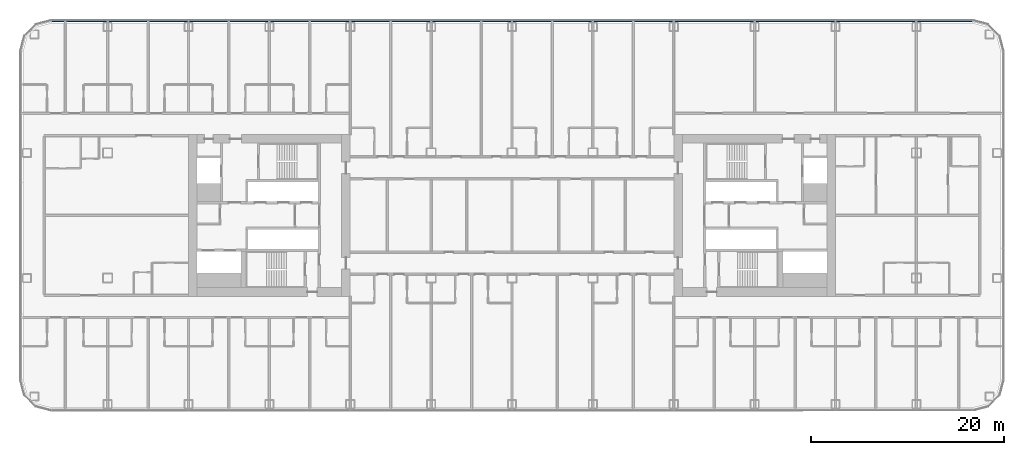
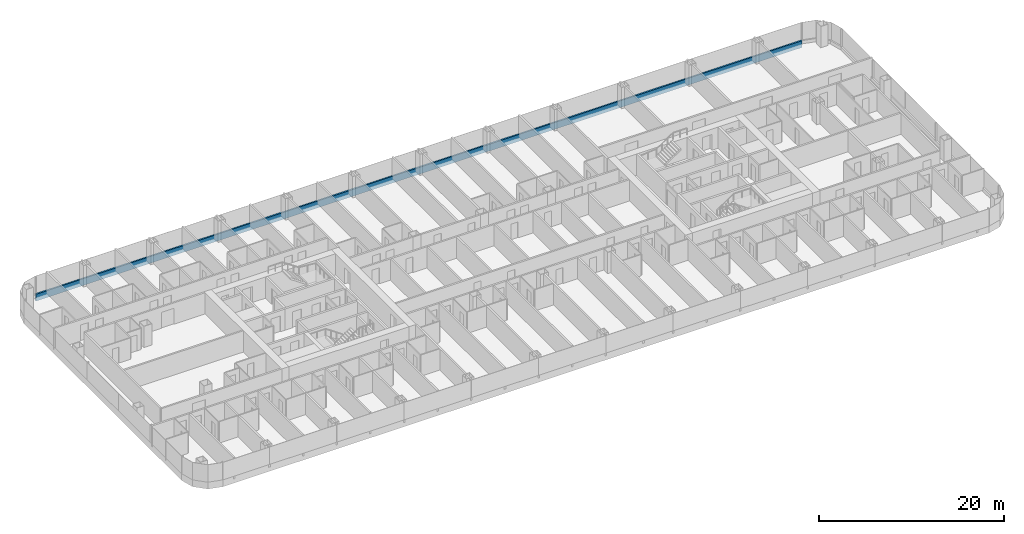
# One storey, part 8 of 29: 1 member, 1 element without a shape of its own.
"""IFC4 building model written with IfcOpenShell, lengths in metres."""

from ifc_helpers import new_model, si_unit, direction, frame, origin, origin_2d, place, context, subcontext, project, spatial, rectangle, extrude, material, layer, layer_set, material_profile, profile_set, type_object, element, aggregate, save


model = new_model("IFC4")

# Units and contexts
model_context = context("Model", 3, precision=1e-05, world=origin(), true_north=direction((0.0, 1.0)))
body_context = subcontext(model_context, "Body", "Model", "MODEL_VIEW")
ifc_project = project(units=[si_unit("LENGTHUNIT", "METRE"), si_unit("AREAUNIT", "SQUARE_METRE"), si_unit("VOLUMEUNIT", "CUBIC_METRE"), si_unit("PLANEANGLEUNIT", "RADIAN"), si_unit("MASSUNIT", "GRAM", prefix="KILO")], contexts=[model_context])

# Site, building, storey
site_placement = place(None, origin())
site = spatial("IfcSite", under=ifc_project, at=site_placement, CompositionType="ELEMENT")
building_placement = place(site_placement, origin())
building = spatial("IfcBuilding", under=site, at=building_placement, Name="Hakoniwa Tower and Hamabe Station Hall", CompositionType="ELEMENT")
storey_placement = place(building_placement, frame((0.0, 0.0, 55.0)))
storey = spatial("IfcBuildingStorey", under=building, at=storey_placement, Name="L15", CompositionType="ELEMENT", Elevation=55.0)

# Curtain wall, member
ifc_material_1 = material(Name="Dark low-e laminated glass", Category="glass")
ifc_layer = layer(ifc_material_1, 0.199951171875)
ifc_layer_set = layer_set([ifc_layer], Name="CW-1 UNITISED GUEST")
curtain_wall_type = type_object("IfcCurtainWallType", Name="CW-1 UNITISED GUEST", PredefinedType="NOTDEFINED", material=ifc_layer_set)
curtain_wall_placement = place(storey_placement, origin())
curtain_wall = element("IfcCurtainWall", 1, at=curtain_wall_placement, inside=storey, type_object=curtain_wall_type, Name="CW-1 curtain wall", PredefinedType="NOTDEFINED")
ifc_material_2 = material(Name="Aluminium 6063-T5 black anodised", Category="aluminium")
ifc_material_profile = material_profile(ifc_material_2, rectangle(XDim=0.199951171875, YDim=0.89990234375, at=origin_2d()), Name="CW SLAB-EDGE BAND 900X200")
ifc_profile_set = profile_set([ifc_material_profile], Name="Aluminium 6063-T5 black anodised")
member_type = type_object("IfcMemberType", Name="CW SLAB-EDGE BAND 900X200", PredefinedType="USERDEFINED", material=ifc_profile_set)
member_placement = place(storey_placement, frame((47.839599609375, 20.199951171875, -0.10009765625), z_axis=(-1.0, 0.0, 0.0), x_axis=(0.0, -1.0, 0.0)))
member = element("IfcMember", 2, at=member_placement, type_object=member_type, Name="CW-1 transom", ObjectType="TRANSOM", PredefinedType="USERDEFINED", context=body_context, shape_type="SweptSolid", body=[
    extrude(rectangle(XDim=0.199951171875, YDim=0.89990234375, at=origin_2d()), origin(), (0.0, 0.0, 1.0), 95.67919921875),
])
aggregate(curtain_wall, [member])

save(model, "model.ifc")
